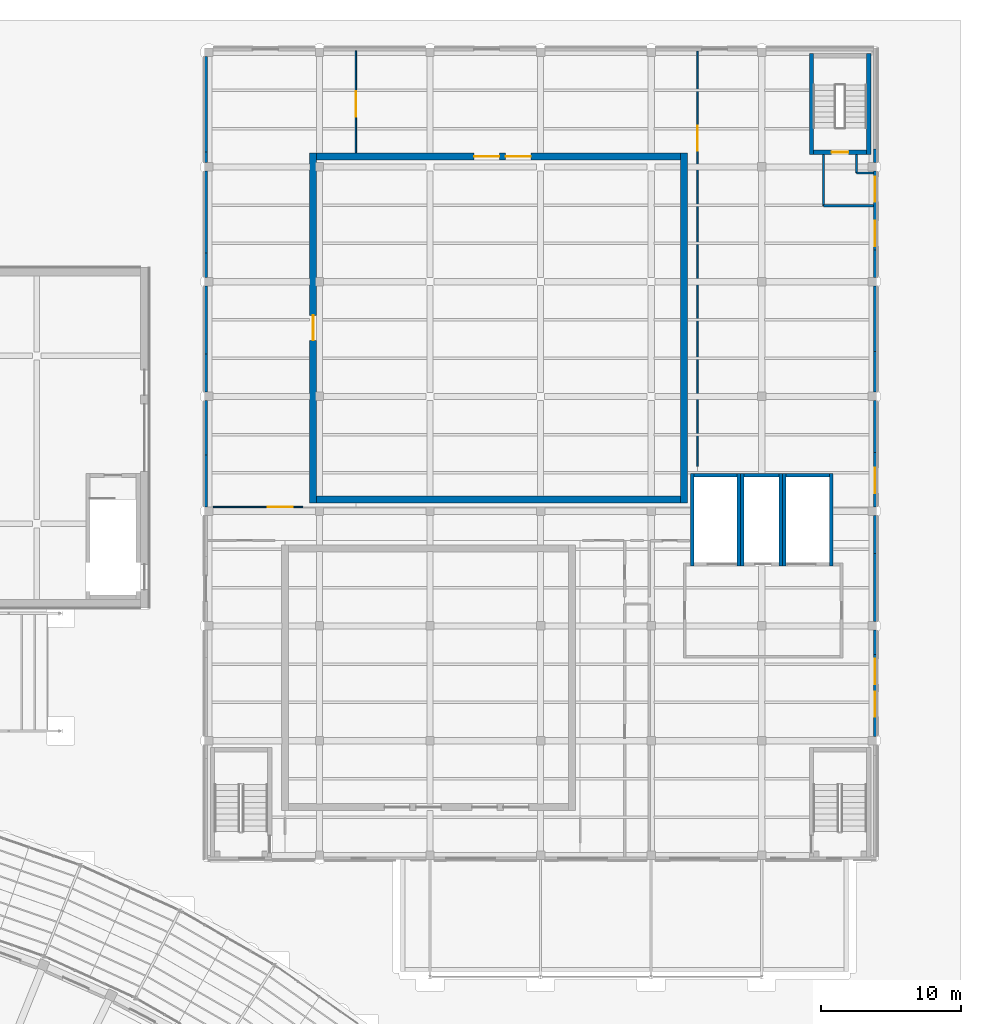
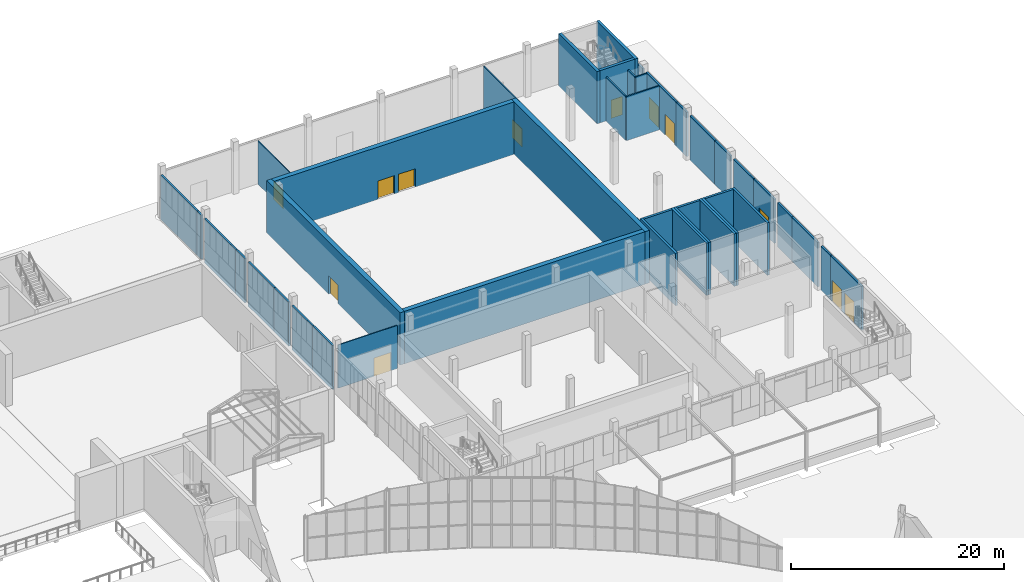
# One storey, part 103 of 155: 42 walls, 12 doors, 12 openings.
"""IFC4 building model written with IfcOpenShell, lengths in metres."""

from ifc_helpers import new_model, si_unit, direction, frame, frame_2d, origin, place, context, subcontext, project, spatial, rectangle, extrude, material, layer, layer_set, type_object, element, fill, save


model = new_model("IFC4")

# Units and contexts
model_context = context("Model", 3, precision=1e-05, world=origin(), true_north=direction((0.0, 1.0)))
body_context = subcontext(model_context, "Body", "Model", "MODEL_VIEW")
ifc_project = project(units=[si_unit("LENGTHUNIT", "METRE"), si_unit("AREAUNIT", "SQUARE_METRE"), si_unit("VOLUMEUNIT", "CUBIC_METRE"), si_unit("PLANEANGLEUNIT", "RADIAN"), si_unit("MASSUNIT", "GRAM", prefix="KILO")], contexts=[model_context])

# Site, building, storey
site_placement = place(None, origin())
site = spatial("IfcSite", under=ifc_project, at=site_placement, CompositionType="ELEMENT")
building_placement = place(site_placement, origin())
building = spatial("IfcBuilding", under=site, at=building_placement, Name="Lunette Opera House", CompositionType="ELEMENT")
storey_placement = place(building_placement, origin())
storey = spatial("IfcBuildingStorey", under=building, at=storey_placement, Name="L00", CompositionType="ELEMENT", Elevation=0.0)

# Walls
ifc_material_1 = material(Name="Plastered clay blockwork", Category="masonry")
ifc_layer_1 = layer(ifc_material_1, 0.14990234375)
ifc_layer_set_1 = layer_set([ifc_layer_1], Name="Plastered clay blockwork")
wall_type_1 = type_object("IfcWallType", Name="BLOCK PARTITION 150", PredefinedType="PARTITIONING", material=ifc_layer_set_1)
wall_1_placement = place(storey_placement, frame((182.574951171875, 128.39990234375, 0.0), z_axis=(0.0, 0.0, 1.0), x_axis=(0.0, -1.0, 0.0)))
element("IfcWall", 1, at=wall_1_placement, inside=storey, type_object=wall_type_1, Name="Exit passage ST19 wall 1", PredefinedType="PARTITIONING", context=body_context, shape_type="SweptSolid", body=[
    extrude(rectangle(XDim=1.324951171875, YDim=0.14990234375, at=frame_2d((0.66259765625, 0.0))), origin(), (0.0, 0.0, 1.0), 5.050048828125),
])
wall_2_placement = place(storey_placement, frame((182.574951171875, 127.074951171875, 0.0), z_axis=(0.0, 0.0, 1.0), x_axis=(1.0, 0.0, 0.0)))
element("IfcWall", 2, at=wall_2_placement, inside=storey, type_object=wall_type_1, Name="Exit passage ST19 wall 2", PredefinedType="PARTITIONING", context=body_context, shape_type="SweptSolid", body=[
    extrude(rectangle(XDim=1.22509765625, YDim=0.14990234375, at=frame_2d((0.612548828125, 0.0))), origin(), (0.0, 0.0, 1.0), 5.050048828125),
])
wall_3_placement = place(storey_placement, frame((180.22509765625, 128.39990234375, 0.0), z_axis=(0.0, 0.0, 1.0), x_axis=(0.0, -1.0, 0.0)))
element("IfcWall", 3, at=wall_3_placement, inside=storey, type_object=wall_type_1, Name="Exit passage ST19 wall 3", PredefinedType="PARTITIONING", context=body_context, shape_type="SweptSolid", body=[
    extrude(rectangle(XDim=3.6748046875, YDim=0.14990234375, at=frame_2d((1.83740234375, 0.0))), origin(), (0.0, 0.0, 1.0), 5.050048828125),
])
wall_4_placement = place(storey_placement, frame((180.22509765625, 124.72509765625, 0.0), z_axis=(0.0, 0.0, 1.0), x_axis=(1.0, 0.0, 0.0)))
element("IfcWall", 4, at=wall_4_placement, inside=storey, type_object=wall_type_1, Name="Exit passage ST19 wall 4", PredefinedType="PARTITIONING", context=body_context, shape_type="SweptSolid", body=[
    extrude(rectangle(XDim=3.574951171875, YDim=0.14990234375, at=frame_2d((1.78759765625, 0.0))), origin(), (0.0, 0.0, 1.0), 5.050048828125),
])
ifc_material_2 = material(Name="Concrete C35/45", Category="concrete")
ifc_layer_2 = layer(ifc_material_2, 0.25)
ifc_layer_set_2 = layer_set([ifc_layer_2], Name="Concrete C35/45")
wall_type_2 = type_object("IfcWallType", Name="RC LIFT SHAFT WALL 250", PredefinedType="SOLIDWALL", material=ifc_layer_set_2)
wall_5_placement = place(storey_placement, frame((177.175048828125, 99.0, 0.0), z_axis=(0.0, 0.0, 1.0), x_axis=(0.0, 1.0, 0.0)))
element("IfcWall", 5, at=wall_5_placement, inside=storey, type_object=wall_type_2, Name="LF6 shaft wall 1", PredefinedType="SOLIDWALL", context=body_context, shape_type="SweptSolid", body=[
    extrude(rectangle(XDim=6.60009765625, YDim=0.25, at=frame_2d((3.300048828125, 0.0))), origin(), (0.0, 0.0, 1.0), 6.0),
])
wall_6_placement = place(storey_placement, frame((177.050048828125, 105.47509765625, 0.0), z_axis=(0.0, 0.0, 1.0), x_axis=(-1.0, 0.0, 0.0)))
element("IfcWall", 6, at=wall_6_placement, inside=storey, type_object=wall_type_2, Name="LF6 shaft wall 2", PredefinedType="SOLIDWALL", context=body_context, shape_type="SweptSolid", body=[
    extrude(rectangle(XDim=2.5, YDim=0.25, at=frame_2d((1.25, 0.0))), origin(), (0.0, 0.0, 1.0), 6.0),
])
for number, where, z_axis, x_axis, name in (
    (7, (174.425048828125, 105.60009765625, 0.0), (0.0, 0.0, 1.0), (0.0, -1.0, 0.0), "LF6 shaft wall 3"),
    (8, (174.175048828125, 99.0, 0.0), (0.0, 0.0, 1.0), (0.0, 1.0, 0.0), "LG2 shaft wall 1"),
):
    element("IfcWall", number, at=place(storey_placement, frame(where, z_axis=z_axis, x_axis=x_axis)), inside=storey, type_object=wall_type_2, Name=name, PredefinedType="SOLIDWALL", context=body_context, shape_type="SweptSolid", body=[
        extrude(rectangle(XDim=6.60009765625, YDim=0.25, at=frame_2d((3.300048828125, 0.0))), origin(), (0.0, 0.0, 1.0), 6.0),
    ])
wall_7_placement = place(storey_placement, frame((174.050048828125, 105.47509765625, 0.0), z_axis=(0.0, 0.0, 1.0), x_axis=(-1.0, 0.0, 0.0)))
element("IfcWall", 9, at=wall_7_placement, inside=storey, type_object=wall_type_2, Name="LG2 shaft wall 2", PredefinedType="SOLIDWALL", context=body_context, shape_type="SweptSolid", body=[
    extrude(rectangle(XDim=3.10009765625, YDim=0.25, at=frame_2d((1.550048828125, 0.0))), origin(), (0.0, 0.0, 1.0), 6.0),
])
for number, where, z_axis, x_axis, name in (
    (10, (170.824951171875, 105.60009765625, 0.0), (0.0, 0.0, 1.0), (0.0, -1.0, 0.0), "LG2 shaft wall 3"),
    (11, (180.77490234375, 99.0, 0.0), (0.0, 0.0, 1.0), (0.0, 1.0, 0.0), "LG3 shaft wall 1"),
):
    element("IfcWall", number, at=place(storey_placement, frame(where, z_axis=z_axis, x_axis=x_axis)), inside=storey, type_object=wall_type_2, Name=name, PredefinedType="SOLIDWALL", context=body_context, shape_type="SweptSolid", body=[
        extrude(rectangle(XDim=6.60009765625, YDim=0.25, at=frame_2d((3.300048828125, 0.0))), origin(), (0.0, 0.0, 1.0), 6.0),
    ])
wall_8_placement = place(storey_placement, frame((180.64990234375, 105.47509765625, 0.0), z_axis=(0.0, 0.0, 1.0), x_axis=(-1.0, 0.0, 0.0)))
element("IfcWall", 12, at=wall_8_placement, inside=storey, type_object=wall_type_2, Name="LG3 shaft wall 2", PredefinedType="SOLIDWALL", context=body_context, shape_type="SweptSolid", body=[
    extrude(rectangle(XDim=3.099853515625, YDim=0.25, at=frame_2d((1.5498046875, 0.0))), origin(), (0.0, 0.0, 1.0), 6.0),
])
wall_9_placement = place(storey_placement, frame((177.425048828125, 105.60009765625, 0.0), z_axis=(0.0, 0.0, 1.0), x_axis=(0.0, -1.0, 0.0)))
element("IfcWall", 13, at=wall_9_placement, inside=storey, type_object=wall_type_2, Name="LG3 shaft wall 3", PredefinedType="SOLIDWALL", context=body_context, shape_type="SweptSolid", body=[
    extrude(rectangle(XDim=6.60009765625, YDim=0.25, at=frame_2d((3.300048828125, 0.0))), origin(), (0.0, 0.0, 1.0), 6.0),
])
ifc_material_3 = material(Name="Concrete C35/45", Category="concrete")
ifc_layer_3 = layer(ifc_material_3, 0.300048828125)
ifc_layer_set_3 = layer_set([ifc_layer_3], Name="Concrete C35/45")
wall_type_3 = type_object("IfcWallType", Name="RC STAIR ENCLOSURE WALL 300", PredefinedType="SOLIDWALL", material=ifc_layer_set_3)
for number, where, z_axis, x_axis, name in (
    (14, (183.449951171875, 128.39990234375, 0.0), (0.0, 0.0, 1.0), (0.0, 1.0, 0.0), "ST19 enclosure wall 1"),
    (15, (179.35009765625, 135.60009765625, 0.0), (0.0, 0.0, 1.0), (0.0, -1.0, 0.0), "ST19 enclosure wall 3"),
):
    element("IfcWall", number, at=place(storey_placement, frame(where, z_axis=z_axis, x_axis=x_axis)), inside=storey, type_object=wall_type_3, Name=name, PredefinedType="SOLIDWALL", context=body_context, shape_type="SweptSolid", body=[
        extrude(rectangle(XDim=7.2001953125, YDim=0.300048828125, at=frame_2d((3.60009765625, 0.0))), origin(), (0.0, 0.0, 1.0), 6.0),
    ])

# Wall, opening, door
wall_10_placement = place(storey_placement, frame((179.5, 128.550048828125, 0.0), z_axis=(0.0, 0.0, 1.0), x_axis=(1.0, 0.0, 0.0)))
wall_10 = element("IfcWall", 16, at=wall_10_placement, inside=storey, type_object=wall_type_3, Name="ST19 enclosure wall 4", PredefinedType="SOLIDWALL", context=body_context, shape_type="SweptSolid", body=[
    extrude(rectangle(XDim=3.800048828125, YDim=0.300048828125, at=frame_2d((1.89990234375, 0.0))), origin(), (0.0, 0.0, 1.0), 6.0),
])
opening_1_placement = place(wall_10_placement, frame((1.300048828125, 0.0, 0.0)))
opening_1 = element("IfcOpeningElement", 17, at=opening_1_placement, cuts=wall_10, Name="Opening WW-D7007", PredefinedType="OPENING", context=body_context, shape_type="SweptSolid", body=[
    extrude(rectangle(XDim=1.199951171875, YDim=2.10009765625, at=frame_2d((0.60009765625, 1.050048828125))), frame((0.0, 0.162109375, 0.0), z_axis=(0.0, -1.0, 0.0), x_axis=(1.0, 0.0, 0.0)), (0.0, 0.0, 1.0), 0.323974609375),
])
ifc_material_4 = material(Name="Steel", Category="steel")
door_type_1 = type_object("IfcDoorType", Name="FIRE DOOR 1200 X 2100", OperationType="SINGLE_SWING_LEFT", PredefinedType="DOOR", material=ifc_material_4)
door_1_placement = place(opening_1_placement, origin())
door_1 = element("IfcDoor", 18, at=door_1_placement, inside=storey, type_object=door_type_1, Name="ST19 stair door", OperationType="SINGLE_SWING_LEFT", OverallHeight=2.10009765625, OverallWidth=1.199951171875, PredefinedType="DOOR", context=body_context, shape_type="SweptSolid", body=[
    extrude(rectangle(XDim=1.199951171875, YDim=2.10009765625, at=frame_2d((0.60009765625, 1.050048828125))), frame((0.0, 0.02490234375, 0.0), z_axis=(0.0, -1.0, 0.0), x_axis=(1.0, 0.0, 0.0)), (0.0, 0.0, 1.0), 0.050048828125),
])
fill(opening_1, door_1)

# Wall
ifc_material_5 = material(Name="Concrete C35/45", Category="concrete")
ifc_layer_4 = layer(ifc_material_5, 0.5)
ifc_layer_set_4 = layer_set([ifc_layer_4], Name="Concrete C35/45")
wall_type_4 = type_object("IfcWallType", Name="RC WALL 500", PredefinedType="SHEAR", material=ifc_layer_set_4)
wall_11_placement = place(storey_placement, frame((143.5, 103.75, 0.0), z_axis=(0.0, 0.0, 1.0), x_axis=(1.0, 0.0, 0.0)))
element("IfcWall", 19, at=wall_11_placement, inside=storey, type_object=wall_type_4, Name="wall-WW-L00-PH-S-1", PredefinedType="SHEAR", context=body_context, shape_type="SweptSolid", body=[
    extrude(rectangle(XDim=27.0, YDim=0.5, at=frame_2d((13.5, 0.0))), origin(), (0.0, 0.0, 1.0), 6.0),
])

# Wall, openings, doors
wall_12_placement = place(storey_placement, frame((143.5, 128.25, 0.0), z_axis=(0.0, 0.0, 1.0), x_axis=(1.0, 0.0, 0.0)))
wall_12 = element("IfcWall", 20, at=wall_12_placement, inside=storey, type_object=wall_type_4, Name="wall-WW-L00-PH-N-1", PredefinedType="SHEAR", context=body_context, shape_type="SweptSolid", body=[
    extrude(rectangle(XDim=27.0, YDim=0.5, at=frame_2d((13.5, 0.0))), origin(), (0.0, 0.0, 1.0), 6.0),
])
opening_2_placement = place(wall_12_placement, frame((14.0, 0.0, 0.0)))
opening_2 = element("IfcOpeningElement", 21, at=opening_2_placement, cuts=wall_12, Name="Opening WW-D3011", PredefinedType="OPENING", context=body_context, shape_type="SweptSolid", body=[
    extrude(rectangle(XDim=1.800048828125, YDim=2.10009765625, at=frame_2d((0.89990234375, 1.050048828125))), frame((0.0, 0.261962890625, 0.0), z_axis=(0.0, -1.0, 0.0), x_axis=(1.0, 0.0, 0.0)), (0.0, 0.0, 1.0), 0.52392578125),
])
opening_3_placement = place(wall_12_placement, frame((11.75, 0.0, 0.0)))
opening_3 = element("IfcOpeningElement", 22, at=opening_3_placement, cuts=wall_12, Name="Opening WW-D3012", PredefinedType="OPENING", context=body_context, shape_type="SweptSolid", body=[
    extrude(rectangle(XDim=1.800048828125, YDim=2.10009765625, at=frame_2d((0.89990234375, 1.050048828125))), frame((0.0, 0.261962890625, 0.0), z_axis=(0.0, -1.0, 0.0), x_axis=(1.0, 0.0, 0.0)), (0.0, 0.0, 1.0), 0.52392578125),
])
ifc_material_6 = material(Name="Timber", Category="wood")
door_type_2 = type_object("IfcDoorType", Name="DOUBLE FLUSH DOOR 1800 X 2100", OperationType="DOUBLE_DOOR_SINGLE_SWING", PredefinedType="DOOR", material=ifc_material_6)
door_2_placement = place(opening_2_placement, origin())
door_2 = element("IfcDoor", 23, at=door_2_placement, inside=storey, type_object=door_type_2, Name="Paint Hall door", OperationType="DOUBLE_DOOR_SINGLE_SWING", OverallHeight=2.10009765625, OverallWidth=1.800048828125, PredefinedType="DOOR", context=body_context, shape_type="SweptSolid", body=[
    extrude(rectangle(XDim=1.800048828125, YDim=2.10009765625, at=frame_2d((0.89990234375, 1.050048828125))), frame((0.0, 0.02490234375, 0.0), z_axis=(0.0, -1.0, 0.0), x_axis=(1.0, 0.0, 0.0)), (0.0, 0.0, 1.0), 0.050048828125),
])
fill(opening_2, door_2)
door_3_placement = place(opening_3_placement, origin())
door_3 = element("IfcDoor", 24, at=door_3_placement, inside=storey, type_object=door_type_2, Name="Costume Workshop Tailoring door", OperationType="DOUBLE_DOOR_SINGLE_SWING", OverallHeight=2.10009765625, OverallWidth=1.800048828125, PredefinedType="DOOR", context=body_context, shape_type="SweptSolid", body=[
    extrude(rectangle(XDim=1.800048828125, YDim=2.10009765625, at=frame_2d((0.89990234375, 1.050048828125))), frame((0.0, 0.02490234375, 0.0), z_axis=(0.0, -1.0, 0.0), x_axis=(1.0, 0.0, 0.0)), (0.0, 0.0, 1.0), 0.050048828125),
])
fill(opening_3, door_3)

# Wall, opening, door
wall_13_placement = place(storey_placement, frame((143.75, 103.5, 0.0), z_axis=(0.0, 0.0, 1.0), x_axis=(0.0, 1.0, 0.0)))
wall_13 = element("IfcWall", 25, at=wall_13_placement, inside=storey, type_object=wall_type_4, Name="wall-WW-L00-PH-W-1", PredefinedType="SHEAR", context=body_context, shape_type="SweptSolid", body=[
    extrude(rectangle(XDim=25.0, YDim=0.5, at=frame_2d((12.5, 0.0))), origin(), (0.0, 0.0, 1.0), 6.0),
])
opening_4_placement = place(wall_13_placement, frame((11.60009765625, 0.0, 0.0)))
opening_4 = element("IfcOpeningElement", 26, at=opening_4_placement, cuts=wall_13, Name="Opening WW-D3010", PredefinedType="OPENING", context=body_context, shape_type="SweptSolid", body=[
    extrude(rectangle(XDim=1.800048828125, YDim=2.10009765625, at=frame_2d((0.89990234375, 1.050048828125))), frame((0.0, 0.261962890625, 0.0), z_axis=(0.0, -1.0, 0.0), x_axis=(1.0, 0.0, 0.0)), (0.0, 0.0, 1.0), 0.52392578125),
])
door_4_placement = place(opening_4_placement, origin())
door_4 = element("IfcDoor", 27, at=door_4_placement, inside=storey, type_object=door_type_2, Name="Paint Hall door", OperationType="DOUBLE_DOOR_SINGLE_SWING", OverallHeight=2.10009765625, OverallWidth=1.800048828125, PredefinedType="DOOR", context=body_context, shape_type="SweptSolid", body=[
    extrude(rectangle(XDim=1.800048828125, YDim=2.10009765625, at=frame_2d((0.89990234375, 1.050048828125))), frame((0.0, 0.02490234375, 0.0), z_axis=(0.0, -1.0, 0.0), x_axis=(1.0, 0.0, 0.0)), (0.0, 0.0, 1.0), 0.050048828125),
])
fill(opening_4, door_4)

# Wall
wall_14_placement = place(storey_placement, frame((170.25, 103.5, 0.0), z_axis=(0.0, 0.0, 1.0), x_axis=(0.0, 1.0, 0.0)))
element("IfcWall", 28, at=wall_14_placement, inside=storey, type_object=wall_type_4, Name="wall-WW-L00-PH-E-1", PredefinedType="SHEAR", context=body_context, shape_type="SweptSolid", body=[
    extrude(rectangle(XDim=25.0, YDim=0.5, at=frame_2d((12.5, 0.0))), origin(), (0.0, 0.0, 1.0), 6.0),
])

# Wall, opening, door
ifc_material_7 = material(Name="Gypsum board on steel studs", Category="steel")
ifc_layer_5 = layer(ifc_material_7, 0.10009765625)
ifc_layer_set_5 = layer_set([ifc_layer_5], Name="Gypsum board on steel studs")
wall_type_5 = type_object("IfcWallType", Name="STUD PARTITION 100", PredefinedType="PARTITIONING", material=ifc_layer_set_5)
wall_15_placement = place(storey_placement, frame((171.218994140625, 135.800048828125, 0.0), z_axis=(0.0, 0.0, 1.0), x_axis=(0.0, -1.0, 0.0)))
wall_15 = element("IfcWall", 29, at=wall_15_placement, inside=storey, type_object=wall_type_5, Name="Partition Scene Dock", PredefinedType="PARTITIONING", context=body_context, shape_type="SweptSolid", body=[
    extrude(rectangle(XDim=29.699951171875, YDim=0.10009765625, at=frame_2d((14.85009765625, 0.0))), origin(), (0.0, 0.0, 1.0), 4.949951171875),
])
opening_5_placement = place(wall_15_placement, frame((5.35009765625, 0.0, 0.0)))
opening_5 = element("IfcOpeningElement", 30, at=opening_5_placement, cuts=wall_15, Name="Opening WW-D3017", PredefinedType="OPENING", context=body_context, shape_type="SweptSolid", body=[
    extrude(rectangle(XDim=1.800048828125, YDim=2.10009765625, at=frame_2d((0.89990234375, 1.050048828125))), frame((0.0, 0.06201171875, 0.0), z_axis=(0.0, -1.0, 0.0), x_axis=(1.0, 0.0, 0.0)), (0.0, 0.0, 1.0), 0.1240234375),
])
door_5_placement = place(opening_5_placement, origin())
door_5 = element("IfcDoor", 31, at=door_5_placement, inside=storey, type_object=door_type_2, Name="Scene Dock door", OperationType="DOUBLE_DOOR_SINGLE_SWING", OverallHeight=2.10009765625, OverallWidth=1.800048828125, PredefinedType="DOOR", context=body_context, shape_type="SweptSolid", body=[
    extrude(rectangle(XDim=1.800048828125, YDim=2.10009765625, at=frame_2d((0.89990234375, 1.050048828125))), frame((0.0, 0.02490234375, 0.0), z_axis=(0.0, -1.0, 0.0), x_axis=(1.0, 0.0, 0.0)), (0.0, 0.0, 1.0), 0.050048828125),
])
fill(opening_5, door_5)

wall_16_placement = place(storey_placement, frame((143.0, 103.199951171875, 0.0), z_axis=(0.0, 0.0, 1.0), x_axis=(-1.0, 0.0, 0.0)))
wall_16 = element("IfcWall", 32, at=wall_16_placement, inside=storey, type_object=wall_type_5, Name="Partition Corridor L00 Workshop", PredefinedType="PARTITIONING", context=body_context, shape_type="SweptSolid", body=[
    extrude(rectangle(XDim=6.39892578125, YDim=0.10009765625, at=frame_2d((3.199462890625, 0.0))), origin(), (0.0, 0.0, 1.0), 4.949951171875),
])
opening_6_placement = place(wall_16_placement, frame((0.699951171875, 0.0, 0.0)))
opening_6 = element("IfcOpeningElement", 33, at=opening_6_placement, cuts=wall_16, Name="Opening WW-D3009", PredefinedType="OPENING", context=body_context, shape_type="SweptSolid", body=[
    extrude(rectangle(XDim=1.800048828125, YDim=2.10009765625, at=frame_2d((0.89990234375, 1.050048828125))), frame((0.0, 0.06201171875, 0.0), z_axis=(0.0, -1.0, 0.0), x_axis=(1.0, 0.0, 0.0)), (0.0, 0.0, 1.0), 0.1240234375),
])
door_6_placement = place(opening_6_placement, origin())
door_6 = element("IfcDoor", 34, at=door_6_placement, inside=storey, type_object=door_type_2, Name="Scenery Workshop Metal door", OperationType="DOUBLE_DOOR_SINGLE_SWING", OverallHeight=2.10009765625, OverallWidth=1.800048828125, PredefinedType="DOOR", context=body_context, shape_type="SweptSolid", body=[
    extrude(rectangle(XDim=1.800048828125, YDim=2.10009765625, at=frame_2d((0.89990234375, 1.050048828125))), frame((0.0, 0.02490234375, 0.0), z_axis=(0.0, -1.0, 0.0), x_axis=(1.0, 0.0, 0.0)), (0.0, 0.0, 1.0), 0.050048828125),
])
fill(opening_6, door_6)

wall_17_placement = place(storey_placement, frame((146.800048828125, 135.800048828125, 0.0), z_axis=(0.0, 0.0, 1.0), x_axis=(0.0, -1.0, 0.0)))
wall_17 = element("IfcWall", 35, at=wall_17_placement, inside=storey, type_object=wall_type_5, Name="Partition Costume Workshop Tailoring", PredefinedType="PARTITIONING", context=body_context, shape_type="SweptSolid", body=[
    extrude(rectangle(XDim=7.300048828125, YDim=0.10009765625, at=frame_2d((3.64990234375, 0.0))), origin(), (0.0, 0.0, 1.0), 4.949951171875),
])
opening_7_placement = place(wall_17_placement, frame((2.89990234375, 0.0, 0.0)))
opening_7 = element("IfcOpeningElement", 36, at=opening_7_placement, cuts=wall_17, Name="Opening WW-D3013", PredefinedType="OPENING", context=body_context, shape_type="SweptSolid", body=[
    extrude(rectangle(XDim=1.800048828125, YDim=2.10009765625, at=frame_2d((0.89990234375, 1.050048828125))), frame((0.0, 0.06201171875, 0.0), z_axis=(0.0, -1.0, 0.0), x_axis=(1.0, 0.0, 0.0)), (0.0, 0.0, 1.0), 0.1240234375),
])
door_7_placement = place(opening_7_placement, origin())
door_7 = element("IfcDoor", 37, at=door_7_placement, inside=storey, type_object=door_type_2, Name="Costume Workshop Tailoring door", OperationType="DOUBLE_DOOR_SINGLE_SWING", OverallHeight=2.10009765625, OverallWidth=1.800048828125, PredefinedType="DOOR", context=body_context, shape_type="SweptSolid", body=[
    extrude(rectangle(XDim=1.800048828125, YDim=2.10009765625, at=frame_2d((0.89990234375, 1.050048828125))), frame((0.0, 0.02490234375, 0.0), z_axis=(0.0, -1.0, 0.0), x_axis=(1.0, 0.0, 0.0)), (0.0, 0.0, 1.0), 0.050048828125),
])
fill(opening_7, door_7)

# Walls
ifc_material_8 = material(Name="Insulated aluminium sandwich panel", Category="aluminium")
ifc_layer_6 = layer(ifc_material_8, 0.199951171875)
ifc_layer_set_6 = layer_set([ifc_layer_6], Name="Insulated aluminium sandwich panel")
wall_type_6 = type_object("IfcWallType", Name="WORKSHOP METAL PANEL WALL 200", PredefinedType="SOLIDWALL", material=ifc_layer_set_6)
wall_18_placement = place(storey_placement, frame((136.10009765625, 135.39990234375, 0.0), z_axis=(0.0, 0.0, 1.0), x_axis=(0.0, -1.0, 0.0)))
element("IfcWall", 38, at=wall_18_placement, inside=storey, type_object=wall_type_6, Name="Workshop Metal Panel Wall 200 F07 L00", PredefinedType="SOLIDWALL", context=body_context, shape_type="SweptSolid", body=[
    extrude(rectangle(XDim=6.824951171875, YDim=0.199951171875, at=frame_2d((3.41259765625, 0.0))), origin(), (0.0, 0.0, 1.0), 5.050048828125),
])
wall_19_placement = place(storey_placement, frame((136.10009765625, 128.574951171875, 0.0), z_axis=(0.0, 0.0, 1.0), x_axis=(0.0, -1.0, 0.0)))
element("IfcWall", 39, at=wall_19_placement, inside=storey, type_object=wall_type_6, Name="Workshop Metal Panel Wall 200 F08-1 L00", PredefinedType="SOLIDWALL", context=body_context, shape_type="SweptSolid", body=[
    extrude(rectangle(XDim=0.77490234375, YDim=0.199951171875, at=frame_2d((0.387451171875, 0.0))), origin(), (0.0, 0.0, 1.0), 5.050048828125),
])
wall_20_placement = place(storey_placement, frame((136.10009765625, 127.199951171875, 0.0), z_axis=(0.0, 0.0, 1.0), x_axis=(0.0, -1.0, 0.0)))
element("IfcWall", 40, at=wall_20_placement, inside=storey, type_object=wall_type_6, Name="Workshop Metal Panel Wall 200 F08-2 L00", PredefinedType="SOLIDWALL", context=body_context, shape_type="SweptSolid", body=[
    extrude(rectangle(XDim=5.849853515625, YDim=0.199951171875, at=frame_2d((2.9248046875, 0.0))), origin(), (0.0, 0.0, 1.0), 5.050048828125),
])
wall_21_placement = place(storey_placement, frame((136.10009765625, 121.35009765625, 0.0), z_axis=(0.0, 0.0, 1.0), x_axis=(0.0, -1.0, 0.0)))
element("IfcWall", 41, at=wall_21_placement, inside=storey, type_object=wall_type_6, Name="Workshop Metal Panel Wall 200 F09-1 L00", PredefinedType="SOLIDWALL", context=body_context, shape_type="SweptSolid", body=[
    extrude(rectangle(XDim=1.75, YDim=0.199951171875, at=frame_2d((0.875, 0.0))), origin(), (0.0, 0.0, 1.0), 5.050048828125),
])
wall_22_placement = place(storey_placement, frame((136.10009765625, 119.0, 0.0), z_axis=(0.0, 0.0, 1.0), x_axis=(0.0, -1.0, 0.0)))
element("IfcWall", 42, at=wall_22_placement, inside=storey, type_object=wall_type_6, Name="Workshop Metal Panel Wall 200 F09-2 L00", PredefinedType="SOLIDWALL", context=body_context, shape_type="SweptSolid", body=[
    extrude(rectangle(XDim=4.875, YDim=0.199951171875, at=frame_2d((2.4375, 0.0))), origin(), (0.0, 0.0, 1.0), 5.050048828125),
])
wall_23_placement = place(storey_placement, frame((136.10009765625, 114.125, 0.0), z_axis=(0.0, 0.0, 1.0), x_axis=(0.0, -1.0, 0.0)))
element("IfcWall", 43, at=wall_23_placement, inside=storey, type_object=wall_type_6, Name="Workshop Metal Panel Wall 200 F10-1 L00", PredefinedType="SOLIDWALL", context=body_context, shape_type="SweptSolid", body=[
    extrude(rectangle(XDim=2.72509765625, YDim=0.199951171875, at=frame_2d((1.362548828125, 0.0))), origin(), (0.0, 0.0, 1.0), 5.050048828125),
])
wall_24_placement = place(storey_placement, frame((136.10009765625, 110.800048828125, 0.0), z_axis=(0.0, 0.0, 1.0), x_axis=(0.0, -1.0, 0.0)))
element("IfcWall", 44, at=wall_24_placement, inside=storey, type_object=wall_type_6, Name="Workshop Metal Panel Wall 200 F10-2 L00", PredefinedType="SOLIDWALL", context=body_context, shape_type="SweptSolid", body=[
    extrude(rectangle(XDim=3.900146484375, YDim=0.199951171875, at=frame_2d((1.9501953125, 0.0))), origin(), (0.0, 0.0, 1.0), 5.050048828125),
])
wall_25_placement = place(storey_placement, frame((136.10009765625, 106.89990234375, 0.0), z_axis=(0.0, 0.0, 1.0), x_axis=(0.0, -1.0, 0.0)))
element("IfcWall", 45, at=wall_25_placement, inside=storey, type_object=wall_type_6, Name="Workshop Metal Panel Wall 200 F11-1 L00", PredefinedType="SOLIDWALL", context=body_context, shape_type="SweptSolid", body=[
    extrude(rectangle(XDim=3.699951171875, YDim=0.199951171875, at=frame_2d((1.85009765625, 0.0))), origin(), (0.0, 0.0, 1.0), 5.050048828125),
])

# Wall, openings, doors
wall_26_placement = place(storey_placement, frame((183.89990234375, 86.800048828125, 0.0), z_axis=(0.0, 0.0, 1.0), x_axis=(0.0, 1.0, 0.0)))
wall_26 = element("IfcWall", 46, at=wall_26_placement, inside=storey, type_object=wall_type_6, Name="Workshop Metal Panel Wall 200 F22-2 L00", PredefinedType="SOLIDWALL", context=body_context, shape_type="SweptSolid", body=[
    extrude(rectangle(XDim=5.849853515625, YDim=0.199951171875, at=frame_2d((2.9248046875, 0.0))), origin(), (0.0, 0.0, 1.0), 5.050048828125),
])
opening_8_placement = place(wall_26_placement, frame((3.75, 0.0, 0.0)))
opening_8 = element("IfcOpeningElement", 47, at=opening_8_placement, cuts=wall_26, Name="Opening WW-D2007", PredefinedType="OPENING", context=body_context, shape_type="SweptSolid", body=[
    extrude(rectangle(XDim=1.800048828125, YDim=2.39990234375, at=frame_2d((0.89990234375, 1.199951171875))), frame((0.0, 0.112060546875, 0.0), z_axis=(0.0, -1.0, 0.0), x_axis=(1.0, 0.0, 0.0)), (0.0, 0.0, 1.0), 0.223876953125),
])
opening_9_placement = place(wall_26_placement, frame((1.39990234375, 0.0, 0.0)))
opening_9 = element("IfcOpeningElement", 48, at=opening_9_placement, cuts=wall_26, Name="Opening WW-D2014", PredefinedType="OPENING", context=body_context, shape_type="SweptSolid", body=[
    extrude(rectangle(XDim=1.800048828125, YDim=2.39990234375, at=frame_2d((0.89990234375, 1.199951171875))), frame((0.0, 0.112060546875, 0.0), z_axis=(0.0, -1.0, 0.0), x_axis=(1.0, 0.0, 0.0)), (0.0, 0.0, 1.0), 0.223876953125),
])
ifc_material_9 = material(Name="Powder-coated steel", Category="steel")
door_type_3 = type_object("IfcDoorType", Name="EXIT DOUBLE DOOR 1800 X 2400", OperationType="DOUBLE_DOOR_DOUBLE_SWING", PredefinedType="DOOR", material=ifc_material_9)
door_8_placement = place(opening_8_placement, origin())
door_8 = element("IfcDoor", 49, at=door_8_placement, inside=storey, type_object=door_type_3, Name="Exit Double Door 1800 X 2400 WWEX1 L00", OperationType="DOUBLE_DOOR_DOUBLE_SWING", OverallHeight=2.39990234375, OverallWidth=1.800048828125, PredefinedType="DOOR", context=body_context, shape_type="SweptSolid", body=[
    extrude(rectangle(XDim=1.800048828125, YDim=2.39990234375, at=frame_2d((0.89990234375, 1.199951171875))), frame((0.0, 0.02490234375, 0.0), z_axis=(0.0, -1.0, 0.0), x_axis=(1.0, 0.0, 0.0)), (0.0, 0.0, 1.0), 0.050048828125),
])
fill(opening_8, door_8)
door_9_placement = place(opening_9_placement, origin())
door_9 = element("IfcDoor", 50, at=door_9_placement, inside=storey, type_object=door_type_3, Name="Exit Double Door 1800 X 2400 ST20XD L00", OperationType="DOUBLE_DOOR_DOUBLE_SWING", OverallHeight=2.39990234375, OverallWidth=1.800048828125, PredefinedType="DOOR", context=body_context, shape_type="SweptSolid", body=[
    extrude(rectangle(XDim=1.800048828125, YDim=2.39990234375, at=frame_2d((0.89990234375, 1.199951171875))), frame((0.0, 0.02490234375, 0.0), z_axis=(0.0, -1.0, 0.0), x_axis=(1.0, 0.0, 0.0)), (0.0, 0.0, 1.0), 0.050048828125),
])
fill(opening_9, door_9)

# Walls
wall_27_placement = place(storey_placement, frame((183.89990234375, 92.64990234375, 0.0), z_axis=(0.0, 0.0, 1.0), x_axis=(0.0, 1.0, 0.0)))
element("IfcWall", 51, at=wall_27_placement, inside=storey, type_object=wall_type_6, Name="Workshop Metal Panel Wall 200 F23-1 L00", PredefinedType="SOLIDWALL", context=body_context, shape_type="SweptSolid", body=[
    extrude(rectangle(XDim=1.75, YDim=0.199951171875, at=frame_2d((0.875, 0.0))), origin(), (0.0, 0.0, 1.0), 5.050048828125),
])
wall_28_placement = place(storey_placement, frame((183.89990234375, 95.0, 0.0), z_axis=(0.0, 0.0, 1.0), x_axis=(0.0, 1.0, 0.0)))
element("IfcWall", 52, at=wall_28_placement, inside=storey, type_object=wall_type_6, Name="Workshop Metal Panel Wall 200 F23-2 L00", PredefinedType="SOLIDWALL", context=body_context, shape_type="SweptSolid", body=[
    extrude(rectangle(XDim=4.875, YDim=0.199951171875, at=frame_2d((2.4375, 0.0))), origin(), (0.0, 0.0, 1.0), 5.050048828125),
])
wall_29_placement = place(storey_placement, frame((183.89990234375, 99.875, 0.0), z_axis=(0.0, 0.0, 1.0), x_axis=(0.0, 1.0, 0.0)))
element("IfcWall", 53, at=wall_29_placement, inside=storey, type_object=wall_type_6, Name="Workshop Metal Panel Wall 200 F24-1 L00", PredefinedType="SOLIDWALL", context=body_context, shape_type="SweptSolid", body=[
    extrude(rectangle(XDim=2.72509765625, YDim=0.199951171875, at=frame_2d((1.362548828125, 0.0))), origin(), (0.0, 0.0, 1.0), 5.050048828125),
])

# Wall, opening, door
wall_30_placement = place(storey_placement, frame((183.89990234375, 103.199951171875, 0.0), z_axis=(0.0, 0.0, 1.0), x_axis=(0.0, 1.0, 0.0)))
wall_30 = element("IfcWall", 54, at=wall_30_placement, inside=storey, type_object=wall_type_6, Name="Workshop Metal Panel Wall 200 F24-2 L00", PredefinedType="SOLIDWALL", context=body_context, shape_type="SweptSolid", body=[
    extrude(rectangle(XDim=3.900146484375, YDim=0.199951171875, at=frame_2d((1.9501953125, 0.0))), origin(), (0.0, 0.0, 1.0), 5.050048828125),
])
opening_10_placement = place(wall_30_placement, frame((1.0, 0.0, 0.0)))
opening_10 = element("IfcOpeningElement", 55, at=opening_10_placement, cuts=wall_30, Name="Opening WW-D2013", PredefinedType="OPENING", context=body_context, shape_type="SweptSolid", body=[
    extrude(rectangle(XDim=1.800048828125, YDim=2.39990234375, at=frame_2d((0.89990234375, 1.199951171875))), frame((0.0, 0.112060546875, 0.0), z_axis=(0.0, -1.0, 0.0), x_axis=(1.0, 0.0, 0.0)), (0.0, 0.0, 1.0), 0.223876953125),
])
door_10_placement = place(opening_10_placement, origin())
door_10 = element("IfcDoor", 56, at=door_10_placement, inside=storey, type_object=door_type_3, Name="Exit Double Door 1800 X 2400 ST19XD L00", OperationType="DOUBLE_DOOR_DOUBLE_SWING", OverallHeight=2.39990234375, OverallWidth=1.800048828125, PredefinedType="DOOR", context=body_context, shape_type="SweptSolid", body=[
    extrude(rectangle(XDim=1.800048828125, YDim=2.39990234375, at=frame_2d((0.89990234375, 1.199951171875))), frame((0.0, 0.02490234375, 0.0), z_axis=(0.0, -1.0, 0.0), x_axis=(1.0, 0.0, 0.0)), (0.0, 0.0, 1.0), 0.050048828125),
])
fill(opening_10, door_10)

# Walls
wall_31_placement = place(storey_placement, frame((183.89990234375, 107.10009765625, 0.0), z_axis=(0.0, 0.0, 1.0), x_axis=(0.0, 1.0, 0.0)))
element("IfcWall", 57, at=wall_31_placement, inside=storey, type_object=wall_type_6, Name="Workshop Metal Panel Wall 200 F25-1 L00", PredefinedType="SOLIDWALL", context=body_context, shape_type="SweptSolid", body=[
    extrude(rectangle(XDim=3.699951171875, YDim=0.199951171875, at=frame_2d((1.85009765625, 0.0))), origin(), (0.0, 0.0, 1.0), 5.050048828125),
])
wall_32_placement = place(storey_placement, frame((183.89990234375, 111.39990234375, 0.0), z_axis=(0.0, 0.0, 1.0), x_axis=(0.0, 1.0, 0.0)))
element("IfcWall", 58, at=wall_32_placement, inside=storey, type_object=wall_type_6, Name="Workshop Metal Panel Wall 200 F25-2 L00", PredefinedType="SOLIDWALL", context=body_context, shape_type="SweptSolid", body=[
    extrude(rectangle(XDim=2.925048828125, YDim=0.199951171875, at=frame_2d((1.46240234375, 0.0))), origin(), (0.0, 0.0, 1.0), 5.050048828125),
])
wall_33_placement = place(storey_placement, frame((183.89990234375, 114.324951171875, 0.0), z_axis=(0.0, 0.0, 1.0), x_axis=(0.0, 1.0, 0.0)))
element("IfcWall", 59, at=wall_33_placement, inside=storey, type_object=wall_type_6, Name="Workshop Metal Panel Wall 200 F26-1 L00", PredefinedType="SOLIDWALL", context=body_context, shape_type="SweptSolid", body=[
    extrude(rectangle(XDim=4.675048828125, YDim=0.199951171875, at=frame_2d((2.33740234375, 0.0))), origin(), (0.0, 0.0, 1.0), 5.050048828125),
])
wall_34_placement = place(storey_placement, frame((183.89990234375, 119.60009765625, 0.0), z_axis=(0.0, 0.0, 1.0), x_axis=(0.0, 1.0, 0.0)))
element("IfcWall", 60, at=wall_34_placement, inside=storey, type_object=wall_type_6, Name="Workshop Metal Panel Wall 200 F26-2 L00", PredefinedType="SOLIDWALL", context=body_context, shape_type="SweptSolid", body=[
    extrude(rectangle(XDim=1.949951171875, YDim=0.199951171875, at=frame_2d((0.97509765625, 0.0))), origin(), (0.0, 0.0, 1.0), 5.050048828125),
])

# Wall, openings, doors
wall_35_placement = place(storey_placement, frame((183.89990234375, 121.550048828125, 0.0), z_axis=(0.0, 0.0, 1.0), x_axis=(0.0, 1.0, 0.0)))
wall_35 = element("IfcWall", 61, at=wall_35_placement, inside=storey, type_object=wall_type_6, Name="Workshop Metal Panel Wall 200 F27-1 L00", PredefinedType="SOLIDWALL", context=body_context, shape_type="SweptSolid", body=[
    extrude(rectangle(XDim=5.64990234375, YDim=0.199951171875, at=frame_2d((2.824951171875, 0.0))), origin(), (0.0, 0.0, 1.0), 5.050048828125),
])
opening_11_placement = place(wall_35_placement, frame((0.300048828125, 0.0, 0.0)))
opening_11 = element("IfcOpeningElement", 62, at=opening_11_placement, cuts=wall_35, Name="Opening WW-D2008", PredefinedType="OPENING", context=body_context, shape_type="SweptSolid", body=[
    extrude(rectangle(XDim=1.800048828125, YDim=2.39990234375, at=frame_2d((0.89990234375, 1.199951171875))), frame((0.0, 0.112060546875, 0.0), z_axis=(0.0, -1.0, 0.0), x_axis=(1.0, 0.0, 0.0)), (0.0, 0.0, 1.0), 0.223876953125),
])
opening_12_placement = place(wall_35_placement, frame((3.449951171875, 0.0, 0.0)))
opening_12 = element("IfcOpeningElement", 63, at=opening_12_placement, cuts=wall_35, Name="Opening WW-D2016", PredefinedType="OPENING", context=body_context, shape_type="SweptSolid", body=[
    extrude(rectangle(XDim=1.800048828125, YDim=2.39990234375, at=frame_2d((0.89990234375, 1.199951171875))), frame((0.0, 0.112060546875, 0.0), z_axis=(0.0, -1.0, 0.0), x_axis=(1.0, 0.0, 0.0)), (0.0, 0.0, 1.0), 0.223876953125),
])
door_11_placement = place(opening_11_placement, origin())
door_11 = element("IfcDoor", 64, at=door_11_placement, inside=storey, type_object=door_type_3, Name="Exit Double Door 1800 X 2400 WWEX2 L00", OperationType="DOUBLE_DOOR_DOUBLE_SWING", OverallHeight=2.39990234375, OverallWidth=1.800048828125, PredefinedType="DOOR", context=body_context, shape_type="SweptSolid", body=[
    extrude(rectangle(XDim=1.800048828125, YDim=2.39990234375, at=frame_2d((0.89990234375, 1.199951171875))), frame((0.0, 0.02490234375, 0.0), z_axis=(0.0, -1.0, 0.0), x_axis=(1.0, 0.0, 0.0)), (0.0, 0.0, 1.0), 0.050048828125),
])
fill(opening_11, door_11)
door_12_placement = place(opening_12_placement, origin())
door_12 = element("IfcDoor", 65, at=door_12_placement, inside=storey, type_object=door_type_3, Name="Exit Double Door 1800 X 2400 ST19XP L00", OperationType="DOUBLE_DOOR_DOUBLE_SWING", OverallHeight=2.39990234375, OverallWidth=1.800048828125, PredefinedType="DOOR", context=body_context, shape_type="SweptSolid", body=[
    extrude(rectangle(XDim=1.800048828125, YDim=2.39990234375, at=frame_2d((0.89990234375, 1.199951171875))), frame((0.0, 0.02490234375, 0.0), z_axis=(0.0, -1.0, 0.0), x_axis=(1.0, 0.0, 0.0)), (0.0, 0.0, 1.0), 0.050048828125),
])
fill(opening_12, door_12)

# Wall
wall_36_placement = place(storey_placement, frame((183.89990234375, 127.800048828125, 0.0), z_axis=(0.0, 0.0, 1.0), x_axis=(0.0, 1.0, 0.0)))
element("IfcWall", 66, at=wall_36_placement, inside=storey, type_object=wall_type_6, Name="Workshop Metal Panel Wall 200 F27-2 L00", PredefinedType="SOLIDWALL", context=body_context, shape_type="SweptSolid", body=[
    extrude(rectangle(XDim=0.974853515625, YDim=0.199951171875, at=frame_2d((0.4873046875, 0.0))), origin(), (0.0, 0.0, 1.0), 5.050048828125),
])

save(model, "model.ifc")
